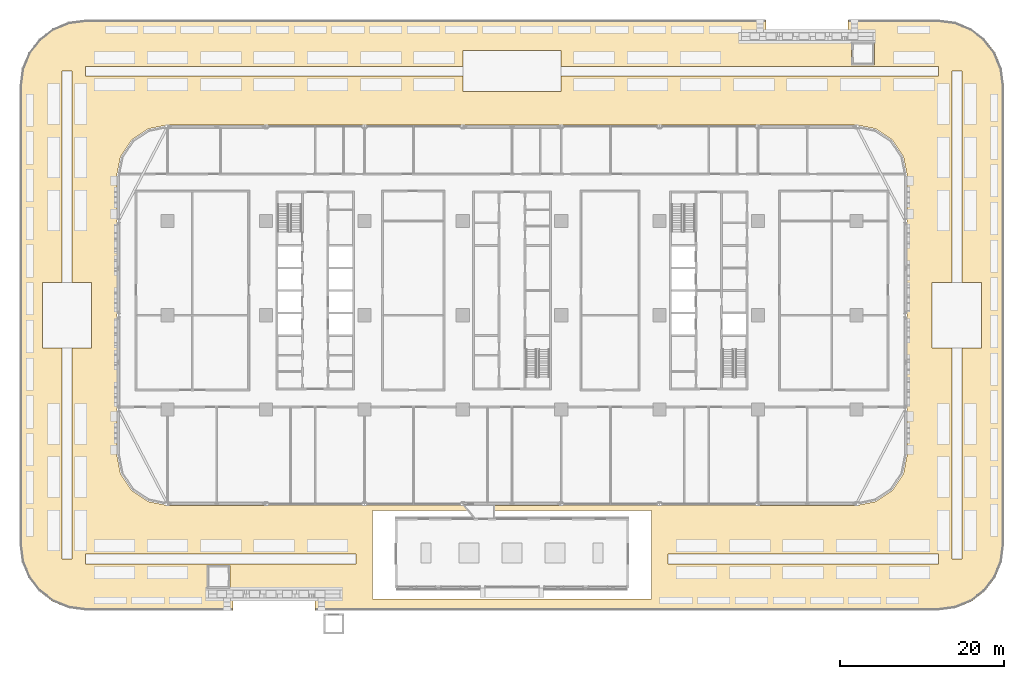
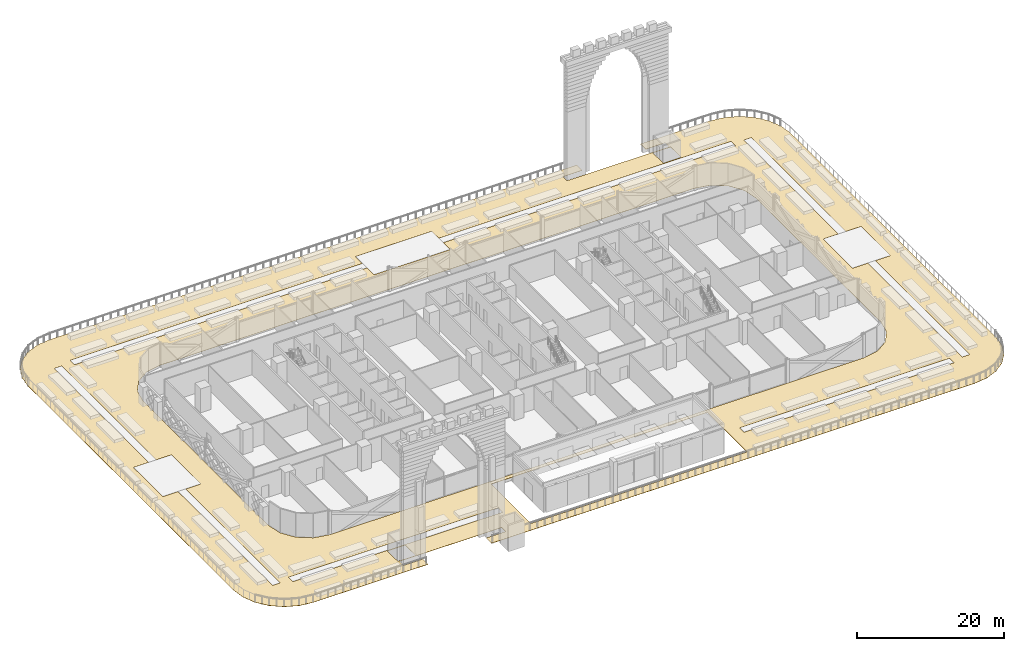
# One storey, part 33 of 39: 1 covering.
"""IFC4 building model written with IfcOpenShell, lengths in metres."""

from ifc_helpers import new_model, si_unit, direction, frame, origin, place, context, subcontext, project, spatial, polyline, outline, extrude, material, layer, layer_set, type_object, element, save


model = new_model("IFC4")

# Units and contexts
model_context = context("Model", 3, precision=1e-05, world=origin(), true_north=direction((0.0, 1.0)))
body_context = subcontext(model_context, "Body", "Model", "MODEL_VIEW")
ifc_project = project(units=[si_unit("LENGTHUNIT", "METRE"), si_unit("AREAUNIT", "SQUARE_METRE"), si_unit("VOLUMEUNIT", "CUBIC_METRE"), si_unit("PLANEANGLEUNIT", "RADIAN"), si_unit("MASSUNIT", "GRAM", prefix="KILO")], contexts=[model_context])

# Site, building, storey
site_placement = place(None, origin())
site = spatial("IfcSite", under=ifc_project, at=site_placement, CompositionType="ELEMENT")
building_placement = place(site_placement, origin())
building = spatial("IfcBuilding", under=site, at=building_placement, Name="Mahtab Terrace Research Tower", CompositionType="ELEMENT")
storey_placement = place(building_placement, frame((0.0, 0.0, 7.199951171875)))
storey = spatial("IfcBuildingStorey", under=building, at=storey_placement, Name="L01", CompositionType="ELEMENT", Elevation=7.199951171875)

# Covering
ifc_material = material(Name="Granite paving", Category="masonry")
ifc_layer = layer(ifc_material, 0.030029296875)
ifc_layer_set = layer_set([ifc_layer], Name="Granite paving 30")
covering_type = type_object("IfcCoveringType", Name="Granite paving 30", PredefinedType="FLOORING", material=ifc_layer_set)
covering_placement = place(storey_placement, origin())
element("IfcCovering", 1, at=covering_placement, inside=storey, type_object=covering_type, Name="Garden deck paving 1", PredefinedType="FLOORING", context=body_context, shape_type="SweptSolid", body=[
    extrude(outline(polyline([(52.0, 36.0), (54.071044921875, 35.72705078125), (56.0, 34.927978515625), (57.656982421875, 33.656982421875), (58.927978515625, 32.0), (59.72705078125, 30.071044921875), (60.0, 28.0), (60.0, -28.0), (59.72705078125, -30.071044921875), (58.927978515625, -32.0), (57.656982421875, -33.656982421875), (56.0, -34.927978515625), (54.071044921875, -35.72705078125), (52.0, -36.0), (-24.0, -36.0), (-24.0, -34.550048828125), (-21.0, -34.550048828125), (-20.9951171875, -34.550048828125), (-20.989990234375, -34.549072265625), (-20.985107421875, -34.548095703125), (-20.98095703125, -34.5458984375), (-20.97607421875, -34.5439453125), (-20.971923828125, -34.5419921875), (-20.968017578125, -34.5390625), (-20.965087890625, -34.534912109375), (-20.9609375, -34.531982421875), (-20.9580078125, -34.528076171875), (-20.9560546875, -34.52392578125), (-20.9541015625, -34.51904296875), (-20.951904296875, -34.514892578125), (-20.950927734375, -34.510009765625), (-20.949951171875, -34.5048828125), (-20.949951171875, -34.5), (-20.949951171875, -33.5), (-20.949951171875, -33.4951171875), (-20.950927734375, -33.489990234375), (-20.951904296875, -33.485107421875), (-20.9541015625, -33.48095703125), (-20.9560546875, -33.47607421875), (-20.9580078125, -33.471923828125), (-20.9609375, -33.468017578125), (-20.965087890625, -33.465087890625), (-20.968017578125, -33.4609375), (-20.971923828125, -33.4580078125), (-20.97607421875, -33.4560546875), (-20.98095703125, -33.4541015625), (-20.985107421875, -33.451904296875), (-20.989990234375, -33.450927734375), (-20.9951171875, -33.449951171875), (-21.0, -33.449951171875), (-37.0, -33.449951171875), (-37.0048828125, -33.449951171875), (-37.010009765625, -33.450927734375), (-37.014892578125, -33.451904296875), (-37.01904296875, -33.4541015625), (-37.02392578125, -33.4560546875), (-37.028076171875, -33.4580078125), (-37.031982421875, -33.4609375), (-37.034912109375, -33.465087890625), (-37.0390625, -33.468017578125), (-37.0419921875, -33.471923828125), (-37.0439453125, -33.47607421875), (-37.0458984375, -33.48095703125), (-37.048095703125, -33.485107421875), (-37.049072265625, -33.489990234375), (-37.050048828125, -33.4951171875), (-37.050048828125, -33.5), (-37.050048828125, -34.5), (-37.050048828125, -34.5048828125), (-37.049072265625, -34.510009765625), (-37.048095703125, -34.514892578125), (-37.0458984375, -34.51904296875), (-37.0439453125, -34.52392578125), (-37.0419921875, -34.528076171875), (-37.0390625, -34.531982421875), (-37.034912109375, -34.534912109375), (-37.031982421875, -34.5390625), (-37.028076171875, -34.5419921875), (-37.02392578125, -34.5439453125), (-37.01904296875, -34.5458984375), (-37.014892578125, -34.548095703125), (-37.010009765625, -34.549072265625), (-37.0048828125, -34.550048828125), (-37.0, -34.550048828125), (-34.0, -34.550048828125), (-34.0, -36.0), (-52.0, -36.0), (-54.071044921875, -35.72705078125), (-56.0, -34.927978515625), (-57.656982421875, -33.656982421875), (-58.927978515625, -32.0), (-59.72705078125, -30.071044921875), (-60.0, -28.0), (-60.0, 28.0), (-59.72705078125, 30.071044921875), (-58.927978515625, 32.0), (-57.656982421875, 33.656982421875), (-56.0, 34.927978515625), (-54.071044921875, 35.72705078125), (-52.0, 36.0), (31.0, 36.0), (31.0, 34.550048828125), (28.0, 34.550048828125), (27.9951171875, 34.550048828125), (27.989990234375, 34.549072265625), (27.985107421875, 34.548095703125), (27.98095703125, 34.5458984375), (27.97607421875, 34.5439453125), (27.971923828125, 34.5419921875), (27.968017578125, 34.5390625), (27.965087890625, 34.534912109375), (27.9609375, 34.531982421875), (27.9580078125, 34.528076171875), (27.9560546875, 34.52392578125), (27.9541015625, 34.51904296875), (27.951904296875, 34.514892578125), (27.950927734375, 34.510009765625), (27.949951171875, 34.5048828125), (27.949951171875, 34.5), (27.949951171875, 33.5), (27.949951171875, 33.4951171875), (27.950927734375, 33.489990234375), (27.951904296875, 33.485107421875), (27.9541015625, 33.48095703125), (27.9560546875, 33.47607421875), (27.9580078125, 33.471923828125), (27.9609375, 33.468017578125), (27.965087890625, 33.465087890625), (27.968017578125, 33.4609375), (27.971923828125, 33.4580078125), (27.97607421875, 33.4560546875), (27.98095703125, 33.4541015625), (27.985107421875, 33.451904296875), (27.989990234375, 33.450927734375), (27.9951171875, 33.449951171875), (28.0, 33.449951171875), (44.0, 33.449951171875), (44.0048828125, 33.449951171875), (44.010009765625, 33.450927734375), (44.014892578125, 33.451904296875), (44.01904296875, 33.4541015625), (44.02392578125, 33.4560546875), (44.028076171875, 33.4580078125), (44.031982421875, 33.4609375), (44.034912109375, 33.465087890625), (44.0390625, 33.468017578125), (44.0419921875, 33.471923828125), (44.0439453125, 33.47607421875), (44.0458984375, 33.48095703125), (44.048095703125, 33.485107421875), (44.049072265625, 33.489990234375), (44.050048828125, 33.4951171875), (44.050048828125, 33.5), (44.050048828125, 34.5), (44.050048828125, 34.5048828125), (44.049072265625, 34.510009765625), (44.048095703125, 34.514892578125), (44.0458984375, 34.51904296875), (44.0439453125, 34.52392578125), (44.0419921875, 34.528076171875), (44.0390625, 34.531982421875), (44.034912109375, 34.534912109375), (44.031982421875, 34.5390625), (44.028076171875, 34.5419921875), (44.02392578125, 34.5439453125), (44.01904296875, 34.5458984375), (44.014892578125, 34.548095703125), (44.010009765625, 34.549072265625), (44.0048828125, 34.550048828125), (44.0, 34.550048828125), (41.0, 34.550048828125), (41.0, 36.0), (52.0, 36.0)]), holes=[polyline([(47.7099609375, 19.406982421875), (46.408935546875, 21.35400390625), (46.35400390625, 21.408935546875), (44.406982421875, 22.7099609375), (44.373046875, 22.72802734375), (44.3349609375, 22.739013671875), (42.0390625, 23.196044921875), (42.0, 23.199951171875), (-42.0, 23.199951171875), (-42.0390625, 23.196044921875), (-44.3349609375, 22.739013671875), (-44.373046875, 22.72802734375), (-44.406982421875, 22.7099609375), (-46.35400390625, 21.408935546875), (-46.408935546875, 21.35400390625), (-47.7099609375, 19.406982421875), (-47.739013671875, 19.3349609375), (-48.196044921875, 17.0390625), (-48.199951171875, 17.0), (-48.199951171875, -17.0), (-48.196044921875, -17.0390625), (-47.739013671875, -19.3349609375), (-47.7099609375, -19.406982421875), (-46.408935546875, -21.35400390625), (-46.35400390625, -21.408935546875), (-44.406982421875, -22.7099609375), (-44.373046875, -22.72802734375), (-44.3349609375, -22.739013671875), (-42.0390625, -23.196044921875), (-42.0, -23.199951171875), (42.0, -23.199951171875), (42.0390625, -23.196044921875), (44.3349609375, -22.739013671875), (44.373046875, -22.72802734375), (44.406982421875, -22.7099609375), (46.35400390625, -21.408935546875), (46.408935546875, -21.35400390625), (47.7099609375, -19.406982421875), (47.739013671875, -19.3349609375), (48.196044921875, -17.0390625), (48.199951171875, -17.0), (48.199951171875, 17.0), (48.196044921875, 17.0390625), (47.739013671875, 19.3349609375), (47.7099609375, 19.406982421875)]), polyline([(-34.39990234375, -30.5), (-37.199951171875, -30.5), (-37.199951171875, -33.300048828125), (-34.39990234375, -33.300048828125), (-34.39990234375, -30.5)]), polyline([(-52.0, -29.14990234375), (-52.0, -30.35009765625), (-19.0, -30.35009765625), (-19.0, -29.14990234375), (-52.0, -29.14990234375)]), polyline([(17.0, -23.800048828125), (-17.0, -23.800048828125), (-17.0, -34.60009765625), (17.0, -34.60009765625), (17.0, -23.800048828125)]), polyline([(-54.85009765625, 29.75), (-54.85009765625, 4.0), (-57.25, 4.0), (-57.25, -4.0), (-54.85009765625, -4.0), (-54.85009765625, -29.75), (-53.64990234375, -29.75), (-53.64990234375, -4.0), (-51.25, -4.0), (-51.25, 4.0), (-53.64990234375, 4.0), (-53.64990234375, 29.75), (-54.85009765625, 29.75)]), polyline([(52.0, -29.14990234375), (19.0, -29.14990234375), (19.0, -30.35009765625), (52.0, -30.35009765625), (52.0, -29.14990234375)]), polyline([(51.25, 4.0), (51.25, -4.0), (53.64990234375, -4.0), (53.64990234375, -29.75), (54.85009765625, -29.75), (54.85009765625, -4.0), (57.25, -4.0), (57.25, 4.0), (54.85009765625, 4.0), (54.85009765625, 29.75), (53.64990234375, 29.75), (53.64990234375, 4.0), (51.25, 4.0)]), polyline([(-6.0, 32.25), (-6.0, 30.35009765625), (-52.0, 30.35009765625), (-52.0, 29.14990234375), (-6.0, 29.14990234375), (-6.0, 27.25), (6.0, 27.25), (6.0, 29.14990234375), (52.0, 29.14990234375), (52.0, 30.35009765625), (6.0, 30.35009765625), (6.0, 32.25), (-6.0, 32.25)]), polyline([(41.39990234375, 33.300048828125), (41.39990234375, 30.5), (44.199951171875, 30.5), (44.199951171875, 33.300048828125), (41.39990234375, 33.300048828125)])]), origin(), (0.0, 0.0, 1.0), 0.030029296875),
])

save(model, "model.ifc")
